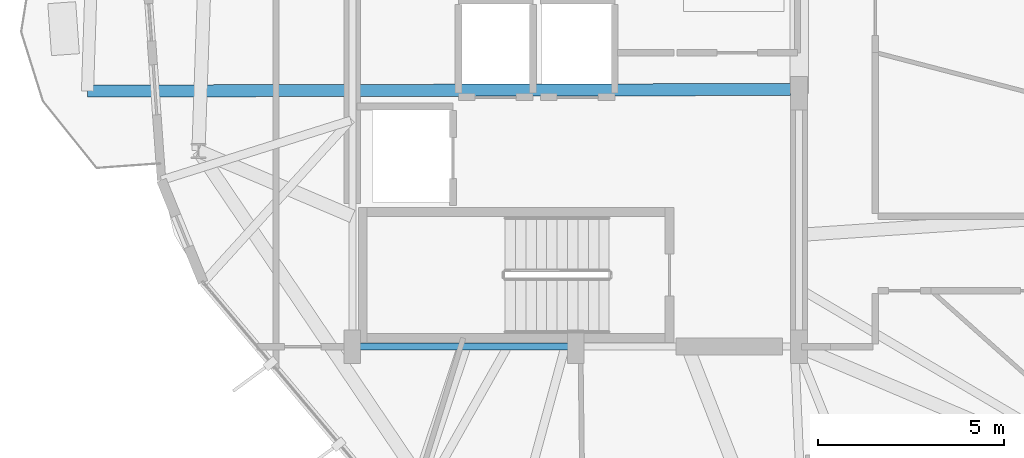
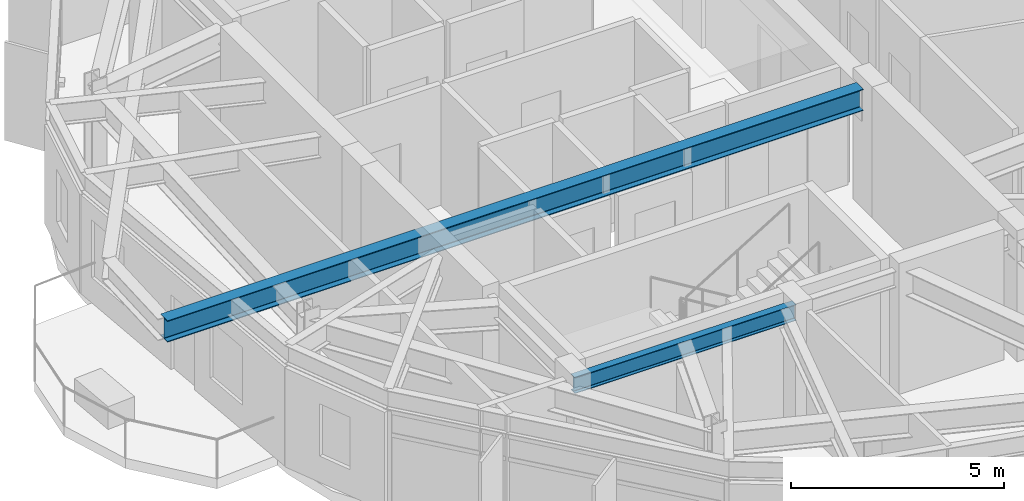
# One storey, part 4 of 26: 2 beams.
"""IFC4 building model written with IfcOpenShell, lengths in metres."""

from ifc_helpers import new_model, si_unit, direction, frame, origin, origin_2d, place, context, subcontext, project, spatial, i_section, extrude, material, material_profile, profile_set, type_object, element, save


model = new_model("IFC4")

# Units and contexts
model_context = context("Model", 3, precision=1e-05, world=origin(), true_north=direction((0.0, 1.0)))
body_context = subcontext(model_context, "Body", "Model", "MODEL_VIEW")
ifc_project = project(units=[si_unit("LENGTHUNIT", "METRE"), si_unit("AREAUNIT", "SQUARE_METRE"), si_unit("VOLUMEUNIT", "CUBIC_METRE"), si_unit("PLANEANGLEUNIT", "RADIAN"), si_unit("MASSUNIT", "GRAM", prefix="KILO")], contexts=[model_context])

# Site, building, storey
site_placement = place(None, origin())
site = spatial("IfcSite", under=ifc_project, at=site_placement, CompositionType="ELEMENT")
building_placement = place(site_placement, origin())
building = spatial("IfcBuilding", under=site, at=building_placement, Name="Soratama Intermodal Tower", CompositionType="ELEMENT")
storey_placement = place(building_placement, frame((0.0, 0.0, 246.25)))
storey = spatial("IfcBuildingStorey", under=building, at=storey_placement, Name="L62", CompositionType="ELEMENT", Elevation=246.25)

# Beams
ifc_material_1 = material(Name="Structural steel ASTM A992 Grade 50", Category="steel")
ifc_material_profile_1 = material_profile(ifc_material_1, i_section(OverallWidth=0.324951171875, OverallDepth=0.615966796875, WebThickness=0.013916015625, FlangeThickness=0.021484375, FilletRadius=0.013916015625, at=origin_2d()), Name="W24X117")
ifc_profile_set_1 = profile_set([ifc_material_profile_1], Name="Structural steel ASTM A992 Grade 50")
beam_type_1 = type_object("IfcBeamType", Name="BM-CANT-W24X117", PredefinedType="BEAM", material=ifc_profile_set_1)
beam_1_placement = place(storey_placement, frame((44.364990234375, 21.906982421875, 3.14208984375), z_axis=(-0.999997410147, -0.002275895414, 0.0), x_axis=(0.002275895414, -0.999997410147, 0.0)))
element("IfcBeam", 1, at=beam_1_placement, inside=storey, type_object=beam_type_1, Name="BM-L62-CANT-3-2", PredefinedType="BEAM", context=body_context, shape_type="SweptSolid", body=[
    extrude(i_section(OverallWidth=0.324951171875, OverallDepth=0.615966796875, WebThickness=0.013916015625, FlangeThickness=0.021484375, FilletRadius=0.013916015625, at=origin_2d()), origin(), (0.0, 0.0, 1.0), 18.8798828125),
])
ifc_material_2 = material(Name="Structural steel ASTM A992 Grade 50", Category="steel")
ifc_material_profile_2 = material_profile(ifc_material_2, i_section(OverallWidth=0.19091796875, OverallDepth=0.4599609375, WebThickness=0.010009765625, FlangeThickness=0.01611328125, FilletRadius=0.010986328125, at=origin_2d()), Name="W18X55")
ifc_profile_set_2 = profile_set([ifc_material_profile_2], Name="Structural steel ASTM A992 Grade 50")
beam_type_2 = type_object("IfcBeamType", Name="BM-FLR-W18X55", PredefinedType="BEAM", material=ifc_profile_set_2)
beam_2_placement = place(storey_placement, frame((32.60009765625, 15.0, 3.219970703125), z_axis=(1.0, 0.0, 0.0), x_axis=(0.0, 1.0, 0.0)))
element("IfcBeam", 2, at=beam_2_placement, inside=storey, type_object=beam_type_2, Name="BM-L62-CRING-01", PredefinedType="BEAM", context=body_context, shape_type="SweptSolid", body=[
    extrude(i_section(OverallWidth=0.19091796875, OverallDepth=0.4599609375, WebThickness=0.010009765625, FlangeThickness=0.01611328125, FilletRadius=0.010986328125, at=origin_2d()), origin(), (0.0, 0.0, 1.0), 6.0),
])

save(model, "model.ifc")
